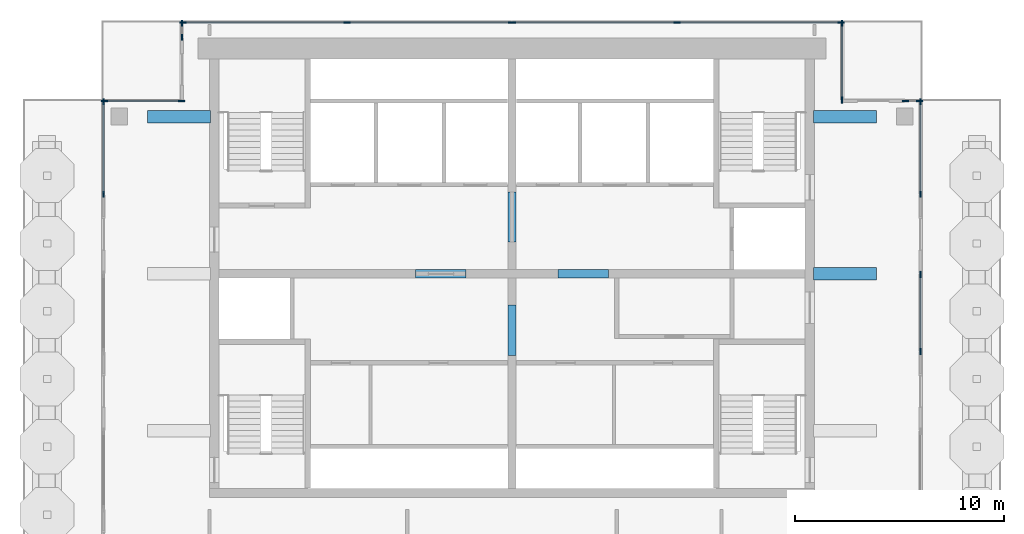
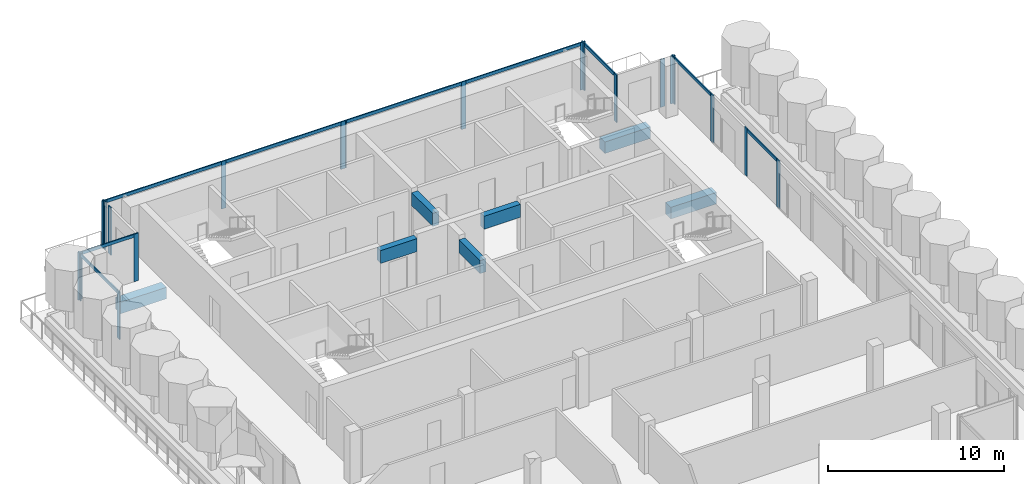
# One storey, part 3 of 15: 29 members, 7 beams, 9 elements without a shape of their own.
"""IFC4 building model written with IfcOpenShell, lengths in metres."""

import ifcopenshell
import ifcopenshell.guid

model = None  # the IFC model being written
_history = None  # IfcOwnerHistory: only IFC2X3 demands one
_inside = {}  # id of a spatial element -> (the spatial element, [elements in it])
_under = {}  # id of a project, library or spatial element -> (it, [spatial elements below it])
_declared = {}  # id of a project -> (the project, [libraries it declares])
_typed = {}  # id of a type object -> (the type object, [elements of that type])
_made_of = {}  # id of a material, layer set ... -> (it, [elements and type objects made of it])


def new_model(schema):
    """Start an empty IFC model of exactly this schema.

    Asked for "IFC4X3", IfcOpenShell would pick the latest addendum, in which some entities
    have other attributes; the version numbers below select the first issue.
    IFC2X3 requires an IfcOwnerHistory on every rooted entity: one is made here for all.
    """
    global model, _history
    if schema == "IFC4X3":
        model = ifcopenshell.file(schema_version=(4, 3, 0, 0))
    else:
        model = ifcopenshell.file(schema=schema)
    _inside.clear()
    _under.clear()
    _declared.clear()
    _typed.clear()
    _made_of.clear()
    _history = None
    if model.schema == "IFC2X3":
        org = make("IfcOrganization", Name="unknown")
        user = make(
            "IfcPersonAndOrganization",
            ThePerson=make("IfcPerson", FamilyName="unknown"),
            TheOrganization=org,
        )
        app = make(
            "IfcApplication",
            ApplicationDeveloper=org,
            Version="unknown",
            ApplicationFullName="unknown",
            ApplicationIdentifier="unknown",
        )
        _history = make(
            "IfcOwnerHistory",
            OwningUser=user,
            OwningApplication=app,
            ChangeAction="ADDED",
            CreationDate=0,
        )
    return model


def make(cls, **values):
    """One entity of the class cls with the attributes given. An attribute that is None is left unset."""
    return model.create_entity(
        cls, **{name: value for name, value in values.items() if value is not None}
    )


def rooted(cls, **values):
    """An entity with a GlobalId (a new one), such as an element, a storey or a relation."""
    return make(cls, GlobalId=ifcopenshell.guid.new(), OwnerHistory=_history, **values)


def si_unit(unit_type, name, prefix=None):
    """IfcSIUnit, for example si_unit("LENGTHUNIT", "METRE", prefix="MILLI")."""
    return make("IfcSIUnit", UnitType=unit_type, Prefix=prefix, Name=name)


def assignment(units):
    """IfcUnitAssignment: the units of a project."""
    return None if units is None else make("IfcUnitAssignment", Units=units)


def point(xyz):
    """IfcCartesianPoint."""
    return None if xyz is None else make("IfcCartesianPoint", Coordinates=xyz)


def direction(xyz):
    """IfcDirection."""
    return None if xyz is None else make("IfcDirection", DirectionRatios=xyz)


def frame(location, z_axis=None, x_axis=None):
    """IfcAxis2Placement3D, a coordinate frame: its origin and axes. An axis left out is left unset."""
    return make(
        "IfcAxis2Placement3D",
        Location=point(location),
        Axis=direction(z_axis),
        RefDirection=direction(x_axis),
    )


def frame_2d(location, x_axis=None):
    """IfcAxis2Placement2D, a coordinate frame in the plane: its origin and x axis."""
    return make(
        "IfcAxis2Placement2D", Location=point(location), RefDirection=direction(x_axis)
    )


def origin():
    """The frame at (0, 0, 0) with its axes left unset."""
    return frame((0.0, 0.0, 0.0))


def origin_2d():
    """The frame at (0, 0) in the plane with its x axis left unset."""
    return frame_2d((0.0, 0.0))


def place(relative_to, where):
    """IfcLocalPlacement: puts the frame where relative to a parent placement (None: the world)."""
    return make(
        "IfcLocalPlacement", PlacementRelTo=relative_to, RelativePlacement=where
    )


def context(
    kind, dimensions, precision=None, world=None, true_north=None, identifier=None
):
    """IfcGeometricRepresentationContext, for example the 3D "Model" context."""
    return make(
        "IfcGeometricRepresentationContext",
        ContextIdentifier=identifier,
        ContextType=kind,
        CoordinateSpaceDimension=dimensions,
        Precision=precision,
        WorldCoordinateSystem=world,
        TrueNorth=true_north,
    )


def subcontext(parent, identifier, kind, view, scale=None):
    """IfcGeometricRepresentationSubContext, for example "Body" below "Model"."""
    return make(
        "IfcGeometricRepresentationSubContext",
        ContextIdentifier=identifier,
        ContextType=kind,
        ParentContext=parent,
        TargetScale=scale,
        TargetView=view,
    )


def project(units=None, contexts=None):
    """IfcProject with its units and contexts."""
    return rooted(
        "IfcProject",
        Name="project",
        RepresentationContexts=contexts,
        UnitsInContext=assignment(units),
    )


def spatial(cls, under=None, at=None, **own):
    """A site, building, storey or space (cls), placed at a placement, below another one or the project."""
    s = rooted(cls, ObjectPlacement=at, **own)
    if under is not None:
        _under.setdefault(under.id(), (under, []))[1].append(s)
    return s


def profile(cls, at=None, kind="AREA", **sizes):
    """A parametric profile (cls). Its sizes go by their IFC names, for example OverallWidth=200.0."""
    return make(cls, ProfileType=kind, Position=at, **sizes)


def rectangle(**sizes):
    """IfcRectangleProfileDef."""
    return profile("IfcRectangleProfileDef", **sizes)


def extrude(swept, where, along, depth):
    """IfcExtrudedAreaSolid: the profile swept, set in the frame where, extruded along a direction by depth."""
    return make(
        "IfcExtrudedAreaSolid",
        SweptArea=swept,
        Position=where,
        ExtrudedDirection=direction(along),
        Depth=depth,
    )


def shape(context_of_items, identifier, shape_type, items):
    """IfcShapeRepresentation: the items that make up one representation, for example the "Body"."""
    return make(
        "IfcShapeRepresentation",
        ContextOfItems=context_of_items,
        RepresentationIdentifier=identifier,
        RepresentationType=shape_type,
        Items=items,
    )


def material(Name=None, Category=None):
    """IfcMaterial."""
    return make("IfcMaterial", Name=Name, Category=Category)


def material_profile(
    of_material, cross_section, Name=None, Category=None, Priority=None
):
    """IfcMaterialProfile: a cross section and its material."""
    return make(
        "IfcMaterialProfile",
        Name=Name,
        Material=of_material,
        Profile=cross_section,
        Priority=Priority,
        Category=Category,
    )


def profile_set(profiles, Name=None, composite=None):
    """IfcMaterialProfileSet."""
    return make(
        "IfcMaterialProfileSet",
        Name=Name,
        MaterialProfiles=profiles,
        CompositeProfile=composite,
    )


def made_of(thing, what):
    """Note that an element or type object is made of a material, layer set ...; save() writes the relation."""
    if what is not None:
        _made_of.setdefault(what.id(), (what, []))[1].append(thing)
    return thing


def type_object(cls, material=None, **own):
    """A type object (cls), such as IfcWallType, which elements share."""
    return made_of(rooted(cls, **own), material)


def element(
    cls,
    number,
    at=None,
    inside=None,
    cuts=None,
    type_object=None,
    material=None,
    context=None,
    identifier="Body",
    shape_type=None,
    held_by="IfcProductDefinitionShape",
    body=None,
    shapes=None,
    **own,
):
    """One element of the class cls, such as IfcWall. Its Tag is "e" and its number.

    at: its placement. inside: the storey or other place that contains it. cuts: it is an
    opening in that element (IfcRelVoidsElement). A single representation is given by context,
    identifier, shape_type and body (its items); several are given by shapes. held_by: the class
    of the entity that holds the representations. save() writes the other relations.
    """
    e = rooted(cls, Tag="e%d" % number, ObjectPlacement=at, **own)
    if body is not None:
        shapes = [shape(context, identifier, shape_type, body)]
    if shapes is not None:
        e.Representation = make(held_by, Representations=shapes)
    if inside is not None:
        _inside.setdefault(inside.id(), (inside, []))[1].append(e)
    if cuts is not None:
        rooted(
            "IfcRelVoidsElement", RelatingBuildingElement=cuts, RelatedOpeningElement=e
        )
    if type_object is not None:
        _typed.setdefault(type_object.id(), (type_object, []))[1].append(e)
    return made_of(e, material)


def aggregate(whole, parts):
    """IfcRelAggregates: a whole, such as a stair, and the parts it consists of."""
    return rooted("IfcRelAggregates", RelatingObject=whole, RelatedObjects=parts)


def save(model, path):
    """Write the relations noted so far, then the file.

    IfcRelAggregates (storeys below a building ...), IfcRelContainedInSpatialStructure (elements
    in a storey), IfcRelDefinesByType, IfcRelAssociatesMaterial and IfcRelDeclares: one each for
    every whole, place, type object, material and project.
    """
    for whole, parts in _under.values():
        aggregate(whole, parts)
    for where, things in _inside.values():
        rooted(
            "IfcRelContainedInSpatialStructure",
            RelatedElements=things,
            RelatingStructure=where,
        )
    for kind, things in _typed.values():
        rooted("IfcRelDefinesByType", RelatedObjects=things, RelatingType=kind)
    for what, things in _made_of.values():
        rooted("IfcRelAssociatesMaterial", RelatedObjects=things, RelatingMaterial=what)
    for by, libraries in _declared.values():
        rooted("IfcRelDeclares", RelatingContext=by, RelatedDefinitions=libraries)
    model.write(path)


model = new_model("IFC4")

# Units and contexts
model_context = context("Model", 3, precision=1e-05, world=origin(), true_north=direction((0.0, 1.0)))
body_context = subcontext(model_context, "Body", "Model", "MODEL_VIEW")
ifc_project = project(units=[si_unit("LENGTHUNIT", "METRE"), si_unit("AREAUNIT", "SQUARE_METRE"), si_unit("VOLUMEUNIT", "CUBIC_METRE"), si_unit("PLANEANGLEUNIT", "RADIAN"), si_unit("MASSUNIT", "GRAM", prefix="KILO")], contexts=[model_context])

# Site, building, storey
site_placement = place(None, origin())
site = spatial("IfcSite", under=ifc_project, at=site_placement, CompositionType="ELEMENT")
building_placement = place(site_placement, origin())
building = spatial("IfcBuilding", under=site, at=building_placement, Name="Pilkhan Gate Tower", CompositionType="ELEMENT")
storey_placement = place(building_placement, frame((0.0, 0.0, 265.699951171875)))
storey = spatial("IfcBuildingStorey", under=building, at=storey_placement, Name="L69", CompositionType="ELEMENT", Elevation=265.699951171875)

# Beams
ifc_material_1 = material(Name="Concrete C50/60", Category="concrete")
ifc_material_profile_1 = material_profile(ifc_material_1, rectangle(XDim=0.60009765625, YDim=0.800048828125, at=origin_2d()), Name="RC 600x800")
ifc_profile_set_1 = profile_set([ifc_material_profile_1], Name="Concrete C50/60")
beam_type_1 = type_object("IfcBeamType", Name="Cantilever beam CB1 RC 600x800 C50/60", PredefinedType="BEAM", material=ifc_profile_set_1)
for number, where, z_axis, x_axis, name in (
    (1, (89.39990234375, 82.5, -0.699951171875), (1.0, 0.0, 0.0), (0.0, 1.0, 0.0), "Crown cantilever beam E10 L69"),
    (2, (89.39990234375, 90.0, -0.699951171875), (1.0, 0.0, 0.0), (0.0, 1.0, 0.0), "Crown cantilever beam E11 L69"),
    (3, (60.60009765625, 90.0, -0.699951171875), (-1.0, 0.0, 0.0), (0.0, -1.0, 0.0), "Crown cantilever beam W17 L69"),
):
    element("IfcBeam", number, at=place(storey_placement, frame(where, z_axis=z_axis, x_axis=x_axis)), inside=storey, type_object=beam_type_1, Name=name, PredefinedType="BEAM", context=body_context, shape_type="SweptSolid", body=[
        extrude(rectangle(XDim=0.60009765625, YDim=0.800048828125, at=origin_2d()), origin(), (0.0, 0.0, 1.0), 3.0),
    ])
ifc_material_profile_2 = material_profile(ifc_material_1, rectangle(XDim=0.39990234375, YDim=0.89990234375, at=origin_2d()), Name="RC 400x900")
ifc_profile_set_2 = profile_set([ifc_material_profile_2], Name="Concrete C50/60")
beam_type_2 = type_object("IfcBeamType", Name="Coupling beam CB90-4 RC 400x900 C50/60", PredefinedType="LINTEL", material=ifc_profile_set_2)
for number, where, z_axis, x_axis, name in (
    (4, (70.39990234375, 82.5, 2.85009765625), (1.0, 0.0, 0.0), (0.0, 1.0, 0.0), "Coupling beam 1 L69"),
    (5, (77.199951171875, 82.5, 2.85009765625), (1.0, 0.0, 0.0), (0.0, 1.0, 0.0), "Coupling beam 2 L69"),
):
    element("IfcBeam", number, at=place(storey_placement, frame(where, z_axis=z_axis, x_axis=x_axis)), inside=storey, type_object=beam_type_2, Name=name, PredefinedType="LINTEL", context=body_context, shape_type="SweptSolid", body=[
        extrude(rectangle(XDim=0.39990234375, YDim=0.89990234375, at=origin_2d()), origin(), (0.0, 0.0, 1.0), 2.400146484375),
    ])
for number, where, z_axis, x_axis, name in (
    (6, (75.0, 78.60009765625, 2.85009765625), (0.0, 1.0, 0.0), (-1.0, 0.0, 0.0), "Coupling beam 3 L69"),
    (7, (75.0, 84.0, 2.85009765625), (0.0, 1.0, 0.0), (-1.0, 0.0, 0.0), "Coupling beam 4 L69"),
):
    element("IfcBeam", number, at=place(storey_placement, frame(where, z_axis=z_axis, x_axis=x_axis)), inside=storey, type_object=beam_type_2, Name=name, PredefinedType="LINTEL", context=body_context, shape_type="SweptSolid", body=[
        extrude(rectangle(XDim=0.39990234375, YDim=0.89990234375, at=origin_2d()), origin(), (0.0, 0.0, 1.0), 2.39990234375),
    ])

# Curtain wall, members
ifc_material_2 = material(Name="Pale anodised aluminium, clear low-iron double glazing", Category="aluminium")
curtain_wall_type = type_object("IfcCurtainWallType", Name="Crown unitised curtain wall CW-C", PredefinedType="USERDEFINED", material=ifc_material_2)
curtain_wall_1_placement = place(storey_placement, origin())
curtain_wall_1 = element("IfcCurtainWall", 8, at=curtain_wall_1_placement, inside=storey, type_object=curtain_wall_type, Name="Crown unitised curtain wall CW-C L69 E", ObjectType="UNITISED CURTAIN WALL", PredefinedType="USERDEFINED")
ifc_material_3 = material(Name="Pale anodised aluminium", Category="aluminium")
ifc_material_profile_3 = material_profile(ifc_material_3, rectangle(XDim=0.074951171875, YDim=0.300048828125, at=origin_2d()), Name="Mullion 300x75")
ifc_profile_set_3 = profile_set([ifc_material_profile_3], Name="Pale anodised aluminium")
member_type_1 = type_object("IfcMemberType", Name="Mullion CW-C 300x75", PredefinedType="MULLION", material=ifc_profile_set_3)
member_1_placement = place(storey_placement, frame((94.5, 78.78759765625, 0.0), z_axis=(0.0, 0.0, 1.0), x_axis=(-1.0, 0.0, 0.0)))
member_1 = element("IfcMember", 9, at=member_1_placement, type_object=member_type_1, Name="CW-C mullion 1", PredefinedType="MULLION", context=body_context, shape_type="SweptSolid", body=[
    extrude(rectangle(XDim=0.074951171875, YDim=0.300048828125, at=origin_2d()), origin(), (0.0, 0.0, 1.0), 3.300048828125),
])
member_2_placement = place(storey_placement, frame((94.5, 82.46240234375, 0.0), z_axis=(0.0, 0.0, 1.0), x_axis=(-1.0, 0.0, 0.0)))
member_2 = element("IfcMember", 10, at=member_2_placement, type_object=member_type_1, Name="CW-C mullion 2", PredefinedType="MULLION", context=body_context, shape_type="SweptSolid", body=[
    extrude(rectangle(XDim=0.074951171875, YDim=0.300048828125, at=origin_2d()), origin(), (0.0, 0.0, 1.0), 3.300048828125),
])

curtain_wall_2_placement = place(storey_placement, origin())
curtain_wall_2 = element("IfcCurtainWall", 11, at=curtain_wall_2_placement, inside=storey, type_object=curtain_wall_type, Name="Crown unitised curtain wall CW-C L69 E", ObjectType="UNITISED CURTAIN WALL", PredefinedType="USERDEFINED")
member_3_placement = place(storey_placement, frame((94.5, 86.28759765625, 0.0), z_axis=(0.0, 0.0, 1.0), x_axis=(-1.0, 0.0, 0.0)))
member_3 = element("IfcMember", 12, at=member_3_placement, type_object=member_type_1, Name="CW-C mullion 1", PredefinedType="MULLION", context=body_context, shape_type="SweptSolid", body=[
    extrude(rectangle(XDim=0.074951171875, YDim=0.300048828125, at=origin_2d()), origin(), (0.0, 0.0, 1.0), 3.300048828125),
])
member_4_placement = place(storey_placement, frame((94.5, 90.71240234375, 0.0), z_axis=(0.0, 0.0, 1.0), x_axis=(-1.0, 0.0, 0.0)))
member_4 = element("IfcMember", 13, at=member_4_placement, type_object=member_type_1, Name="CW-C mullion 2", PredefinedType="MULLION", context=body_context, shape_type="SweptSolid", body=[
    extrude(rectangle(XDim=0.074951171875, YDim=0.300048828125, at=origin_2d()), origin(), (0.0, 0.0, 1.0), 3.300048828125),
])

curtain_wall_3_placement = place(storey_placement, origin())
curtain_wall_3 = element("IfcCurtainWall", 14, at=curtain_wall_3_placement, inside=storey, type_object=curtain_wall_type, Name="Crown unitised curtain wall CW-C L69 N", ObjectType="UNITISED CURTAIN WALL", PredefinedType="USERDEFINED")
member_5_placement = place(storey_placement, frame((93.78759765625, 90.75, 0.0), z_axis=(0.0, 0.0, 1.0), x_axis=(0.0, 1.0, 0.0)))
member_5 = element("IfcMember", 15, at=member_5_placement, type_object=member_type_1, Name="CW-C mullion 1", PredefinedType="MULLION", context=body_context, shape_type="SweptSolid", body=[
    extrude(rectangle(XDim=0.074951171875, YDim=0.300048828125, at=origin_2d()), origin(), (0.0, 0.0, 1.0), 3.300048828125),
])
member_6_placement = place(storey_placement, frame((94.46240234375, 90.75, 0.0), z_axis=(0.0, 0.0, 1.0), x_axis=(0.0, 1.0, 0.0)))
member_6 = element("IfcMember", 16, at=member_6_placement, type_object=member_type_1, Name="CW-C mullion 2", PredefinedType="MULLION", context=body_context, shape_type="SweptSolid", body=[
    extrude(rectangle(XDim=0.074951171875, YDim=0.300048828125, at=origin_2d()), origin(), (0.0, 0.0, 1.0), 3.300048828125),
])
aggregate(curtain_wall_3, [member_5, member_6])

curtain_wall_4_placement = place(storey_placement, origin())
curtain_wall_4 = element("IfcCurtainWall", 17, at=curtain_wall_4_placement, inside=storey, type_object=curtain_wall_type, Name="Crown unitised curtain wall CW-C L69 E", ObjectType="UNITISED CURTAIN WALL", PredefinedType="USERDEFINED")
member_7_placement = place(storey_placement, frame((90.75, 90.78759765625, 0.0), z_axis=(0.0, 0.0, 1.0), x_axis=(-1.0, 0.0, 0.0)))
member_7 = element("IfcMember", 18, at=member_7_placement, type_object=member_type_1, Name="CW-C mullion 1", PredefinedType="MULLION", context=body_context, shape_type="SweptSolid", body=[
    extrude(rectangle(XDim=0.074951171875, YDim=0.300048828125, at=origin_2d()), origin(), (0.0, 0.0, 1.0), 3.300048828125),
])
member_8_placement = place(storey_placement, frame((90.75, 94.46240234375, 0.0), z_axis=(0.0, 0.0, 1.0), x_axis=(-1.0, 0.0, 0.0)))
member_8 = element("IfcMember", 19, at=member_8_placement, type_object=member_type_1, Name="CW-C mullion 2", PredefinedType="MULLION", context=body_context, shape_type="SweptSolid", body=[
    extrude(rectangle(XDim=0.074951171875, YDim=0.300048828125, at=origin_2d()), origin(), (0.0, 0.0, 1.0), 3.300048828125),
])

curtain_wall_5_placement = place(storey_placement, origin())
curtain_wall_5 = element("IfcCurtainWall", 20, at=curtain_wall_5_placement, inside=storey, type_object=curtain_wall_type, Name="Crown unitised curtain wall CW-C L69 N", ObjectType="UNITISED CURTAIN WALL", PredefinedType="USERDEFINED")
member_9_placement = place(storey_placement, frame((59.28759765625, 94.5, 0.0), z_axis=(0.0, 0.0, 1.0), x_axis=(0.0, 1.0, 0.0)))
member_9 = element("IfcMember", 21, at=member_9_placement, type_object=member_type_1, Name="CW-C mullion 1", PredefinedType="MULLION", context=body_context, shape_type="SweptSolid", body=[
    extrude(rectangle(XDim=0.074951171875, YDim=0.300048828125, at=origin_2d()), origin(), (0.0, 0.0, 1.0), 3.300048828125),
])
member_10_placement = place(storey_placement, frame((67.125, 94.5, 0.0), z_axis=(0.0, 0.0, 1.0), x_axis=(0.0, 1.0, 0.0)))
member_10 = element("IfcMember", 22, at=member_10_placement, type_object=member_type_1, Name="CW-C mullion 2", PredefinedType="MULLION", context=body_context, shape_type="SweptSolid", body=[
    extrude(rectangle(XDim=0.074951171875, YDim=0.300048828125, at=origin_2d()), origin(), (0.0, 0.0, 1.0), 3.300048828125),
])
member_11_placement = place(storey_placement, frame((74.96240234375, 94.5, 0.0), z_axis=(0.0, 0.0, 1.0), x_axis=(0.0, 1.0, 0.0)))
member_11 = element("IfcMember", 23, at=member_11_placement, type_object=member_type_1, Name="CW-C mullion 3", PredefinedType="MULLION", context=body_context, shape_type="SweptSolid", body=[
    extrude(rectangle(XDim=0.074951171875, YDim=0.300048828125, at=origin_2d()), origin(), (0.0, 0.0, 1.0), 3.300048828125),
])

curtain_wall_6_placement = place(storey_placement, origin())
curtain_wall_6 = element("IfcCurtainWall", 24, at=curtain_wall_6_placement, inside=storey, type_object=curtain_wall_type, Name="Crown unitised curtain wall CW-C L69 N", ObjectType="UNITISED CURTAIN WALL", PredefinedType="USERDEFINED")
member_12_placement = place(storey_placement, frame((75.03759765625, 94.5, 0.0), z_axis=(0.0, 0.0, 1.0), x_axis=(0.0, 1.0, 0.0)))
member_12 = element("IfcMember", 25, at=member_12_placement, type_object=member_type_1, Name="CW-C mullion 1", PredefinedType="MULLION", context=body_context, shape_type="SweptSolid", body=[
    extrude(rectangle(XDim=0.074951171875, YDim=0.300048828125, at=origin_2d()), origin(), (0.0, 0.0, 1.0), 3.300048828125),
])
member_13_placement = place(storey_placement, frame((82.875, 94.5, 0.0), z_axis=(0.0, 0.0, 1.0), x_axis=(0.0, 1.0, 0.0)))
member_13 = element("IfcMember", 26, at=member_13_placement, type_object=member_type_1, Name="CW-C mullion 2", PredefinedType="MULLION", context=body_context, shape_type="SweptSolid", body=[
    extrude(rectangle(XDim=0.074951171875, YDim=0.300048828125, at=origin_2d()), origin(), (0.0, 0.0, 1.0), 3.300048828125),
])
member_14_placement = place(storey_placement, frame((90.71240234375, 94.5, 0.0), z_axis=(0.0, 0.0, 1.0), x_axis=(0.0, 1.0, 0.0)))
member_14 = element("IfcMember", 27, at=member_14_placement, type_object=member_type_1, Name="CW-C mullion 3", PredefinedType="MULLION", context=body_context, shape_type="SweptSolid", body=[
    extrude(rectangle(XDim=0.074951171875, YDim=0.300048828125, at=origin_2d()), origin(), (0.0, 0.0, 1.0), 3.300048828125),
])

curtain_wall_7_placement = place(storey_placement, origin())
curtain_wall_7 = element("IfcCurtainWall", 28, at=curtain_wall_7_placement, inside=storey, type_object=curtain_wall_type, Name="Crown unitised curtain wall CW-C L69 W", ObjectType="UNITISED CURTAIN WALL", PredefinedType="USERDEFINED")
member_15_placement = place(storey_placement, frame((59.25, 93.78759765625, 0.0), z_axis=(0.0, 0.0, 1.0), x_axis=(-1.0, 0.0, 0.0)))
member_15 = element("IfcMember", 29, at=member_15_placement, type_object=member_type_1, Name="CW-C mullion 1", PredefinedType="MULLION", context=body_context, shape_type="SweptSolid", body=[
    extrude(rectangle(XDim=0.074951171875, YDim=0.300048828125, at=origin_2d()), origin(), (0.0, 0.0, 1.0), 3.300048828125),
])
member_16_placement = place(storey_placement, frame((59.25, 94.46240234375, 0.0), z_axis=(0.0, 0.0, 1.0), x_axis=(-1.0, 0.0, 0.0)))
member_16 = element("IfcMember", 30, at=member_16_placement, type_object=member_type_1, Name="CW-C mullion 2", PredefinedType="MULLION", context=body_context, shape_type="SweptSolid", body=[
    extrude(rectangle(XDim=0.074951171875, YDim=0.300048828125, at=origin_2d()), origin(), (0.0, 0.0, 1.0), 3.300048828125),
])
aggregate(curtain_wall_7, [member_15, member_16])

curtain_wall_8_placement = place(storey_placement, origin())
curtain_wall_8 = element("IfcCurtainWall", 31, at=curtain_wall_8_placement, inside=storey, type_object=curtain_wall_type, Name="Crown unitised curtain wall CW-C L69 N", ObjectType="UNITISED CURTAIN WALL", PredefinedType="USERDEFINED")
member_17_placement = place(storey_placement, frame((55.53759765625, 90.75, 0.0), z_axis=(0.0, 0.0, 1.0), x_axis=(0.0, 1.0, 0.0)))
member_17 = element("IfcMember", 32, at=member_17_placement, type_object=member_type_1, Name="CW-C mullion 1", PredefinedType="MULLION", context=body_context, shape_type="SweptSolid", body=[
    extrude(rectangle(XDim=0.074951171875, YDim=0.300048828125, at=origin_2d()), origin(), (0.0, 0.0, 1.0), 3.300048828125),
])
member_18_placement = place(storey_placement, frame((59.21240234375, 90.75, 0.0), z_axis=(0.0, 0.0, 1.0), x_axis=(0.0, 1.0, 0.0)))
member_18 = element("IfcMember", 33, at=member_18_placement, type_object=member_type_1, Name="CW-C mullion 2", PredefinedType="MULLION", context=body_context, shape_type="SweptSolid", body=[
    extrude(rectangle(XDim=0.074951171875, YDim=0.300048828125, at=origin_2d()), origin(), (0.0, 0.0, 1.0), 3.300048828125),
])

curtain_wall_9_placement = place(storey_placement, origin())
curtain_wall_9 = element("IfcCurtainWall", 34, at=curtain_wall_9_placement, inside=storey, type_object=curtain_wall_type, Name="Crown unitised curtain wall CW-C L69 W", ObjectType="UNITISED CURTAIN WALL", PredefinedType="USERDEFINED")
member_19_placement = place(storey_placement, frame((55.5, 86.28759765625, 0.0), z_axis=(0.0, 0.0, 1.0), x_axis=(-1.0, 0.0, 0.0)))
member_19 = element("IfcMember", 35, at=member_19_placement, type_object=member_type_1, Name="CW-C mullion 1", PredefinedType="MULLION", context=body_context, shape_type="SweptSolid", body=[
    extrude(rectangle(XDim=0.074951171875, YDim=0.300048828125, at=origin_2d()), origin(), (0.0, 0.0, 1.0), 3.300048828125),
])
member_20_placement = place(storey_placement, frame((55.5, 90.71240234375, 0.0), z_axis=(0.0, 0.0, 1.0), x_axis=(-1.0, 0.0, 0.0)))
member_20 = element("IfcMember", 36, at=member_20_placement, type_object=member_type_1, Name="CW-C mullion 2", PredefinedType="MULLION", context=body_context, shape_type="SweptSolid", body=[
    extrude(rectangle(XDim=0.074951171875, YDim=0.300048828125, at=origin_2d()), origin(), (0.0, 0.0, 1.0), 3.300048828125),
])

# Member
ifc_material_profile_4 = material_profile(ifc_material_3, rectangle(XDim=0.074951171875, YDim=0.219970703125, at=origin_2d()), Name="Transom 220x75")
ifc_profile_set_4 = profile_set([ifc_material_profile_4], Name="Pale anodised aluminium")
member_type_2 = type_object("IfcMemberType", Name="Transom CW-C 220x75", PredefinedType="USERDEFINED", material=ifc_profile_set_4)
member_21_placement = place(storey_placement, frame((94.5, 78.824951171875, 3.18994140625), z_axis=(0.0, 1.0, 0.0), x_axis=(-1.0, 0.0, 0.0)))
member_21 = element("IfcMember", 37, at=member_21_placement, type_object=member_type_2, Name="CW-C transom 1", ObjectType="TRANSOM", PredefinedType="USERDEFINED", context=body_context, shape_type="SweptSolid", body=[
    extrude(rectangle(XDim=0.074951171875, YDim=0.219970703125, at=origin_2d()), origin(), (0.0, 0.0, 1.0), 3.60009765625),
])

aggregate(curtain_wall_1, [member_1, member_2, member_21])

member_22_placement = place(storey_placement, frame((94.5, 86.324951171875, 3.18994140625), z_axis=(0.0, 1.0, 0.0), x_axis=(-1.0, 0.0, 0.0)))
member_22 = element("IfcMember", 38, at=member_22_placement, type_object=member_type_2, Name="CW-C transom 1", ObjectType="TRANSOM", PredefinedType="USERDEFINED", context=body_context, shape_type="SweptSolid", body=[
    extrude(rectangle(XDim=0.074951171875, YDim=0.219970703125, at=origin_2d()), origin(), (0.0, 0.0, 1.0), 4.35009765625),
])

aggregate(curtain_wall_2, [member_3, member_4, member_22])

member_23_placement = place(storey_placement, frame((90.75, 90.824951171875, 3.18994140625), z_axis=(0.0, 1.0, 0.0), x_axis=(-1.0, 0.0, 0.0)))
member_23 = element("IfcMember", 39, at=member_23_placement, type_object=member_type_2, Name="CW-C transom 1", ObjectType="TRANSOM", PredefinedType="USERDEFINED", context=body_context, shape_type="SweptSolid", body=[
    extrude(rectangle(XDim=0.074951171875, YDim=0.219970703125, at=origin_2d()), origin(), (0.0, 0.0, 1.0), 3.60009765625),
])

aggregate(curtain_wall_4, [member_7, member_8, member_23])

member_24_placement = place(storey_placement, frame((59.324951171875, 94.5, 3.18994140625), z_axis=(1.0, 0.0, 0.0), x_axis=(0.0, 1.0, 0.0)))
member_24 = element("IfcMember", 40, at=member_24_placement, type_object=member_type_2, Name="CW-C transom 1", ObjectType="TRANSOM", PredefinedType="USERDEFINED", context=body_context, shape_type="SweptSolid", body=[
    extrude(rectangle(XDim=0.074951171875, YDim=0.219970703125, at=origin_2d()), origin(), (0.0, 0.0, 1.0), 7.762451171875),
])

member_25_placement = place(storey_placement, frame((67.16259765625, 94.5, 3.18994140625), z_axis=(1.0, 0.0, 0.0), x_axis=(0.0, 1.0, 0.0)))
member_25 = element("IfcMember", 41, at=member_25_placement, type_object=member_type_2, Name="CW-C transom 2", ObjectType="TRANSOM", PredefinedType="USERDEFINED", context=body_context, shape_type="SweptSolid", body=[
    extrude(rectangle(XDim=0.074951171875, YDim=0.219970703125, at=origin_2d()), origin(), (0.0, 0.0, 1.0), 7.762451171875),
])

aggregate(curtain_wall_5, [member_9, member_10, member_11, member_24, member_25])

member_26_placement = place(storey_placement, frame((75.074951171875, 94.5, 3.18994140625), z_axis=(1.0, 0.0, 0.0), x_axis=(0.0, 1.0, 0.0)))
member_26 = element("IfcMember", 42, at=member_26_placement, type_object=member_type_2, Name="CW-C transom 1", ObjectType="TRANSOM", PredefinedType="USERDEFINED", context=body_context, shape_type="SweptSolid", body=[
    extrude(rectangle(XDim=0.074951171875, YDim=0.219970703125, at=origin_2d()), origin(), (0.0, 0.0, 1.0), 7.762451171875),
])

member_27_placement = place(storey_placement, frame((82.91259765625, 94.5, 3.18994140625), z_axis=(1.0, 0.0, 0.0), x_axis=(0.0, 1.0, 0.0)))
member_27 = element("IfcMember", 43, at=member_27_placement, type_object=member_type_2, Name="CW-C transom 2", ObjectType="TRANSOM", PredefinedType="USERDEFINED", context=body_context, shape_type="SweptSolid", body=[
    extrude(rectangle(XDim=0.074951171875, YDim=0.219970703125, at=origin_2d()), origin(), (0.0, 0.0, 1.0), 7.762451171875),
])

aggregate(curtain_wall_6, [member_12, member_13, member_14, member_26, member_27])

member_28_placement = place(storey_placement, frame((55.574951171875, 90.75, 3.18994140625), z_axis=(1.0, 0.0, 0.0), x_axis=(0.0, 1.0, 0.0)))
member_28 = element("IfcMember", 44, at=member_28_placement, type_object=member_type_2, Name="CW-C transom 1", ObjectType="TRANSOM", PredefinedType="USERDEFINED", context=body_context, shape_type="SweptSolid", body=[
    extrude(rectangle(XDim=0.074951171875, YDim=0.219970703125, at=origin_2d()), origin(), (0.0, 0.0, 1.0), 3.60009765625),
])

aggregate(curtain_wall_8, [member_17, member_18, member_28])

member_29_placement = place(storey_placement, frame((55.5, 86.324951171875, 3.18994140625), z_axis=(0.0, 1.0, 0.0), x_axis=(-1.0, 0.0, 0.0)))
member_29 = element("IfcMember", 45, at=member_29_placement, type_object=member_type_2, Name="CW-C transom 1", ObjectType="TRANSOM", PredefinedType="USERDEFINED", context=body_context, shape_type="SweptSolid", body=[
    extrude(rectangle(XDim=0.074951171875, YDim=0.219970703125, at=origin_2d()), origin(), (0.0, 0.0, 1.0), 4.35009765625),
])

aggregate(curtain_wall_9, [member_19, member_20, member_29])

save(model, "model.ifc")
